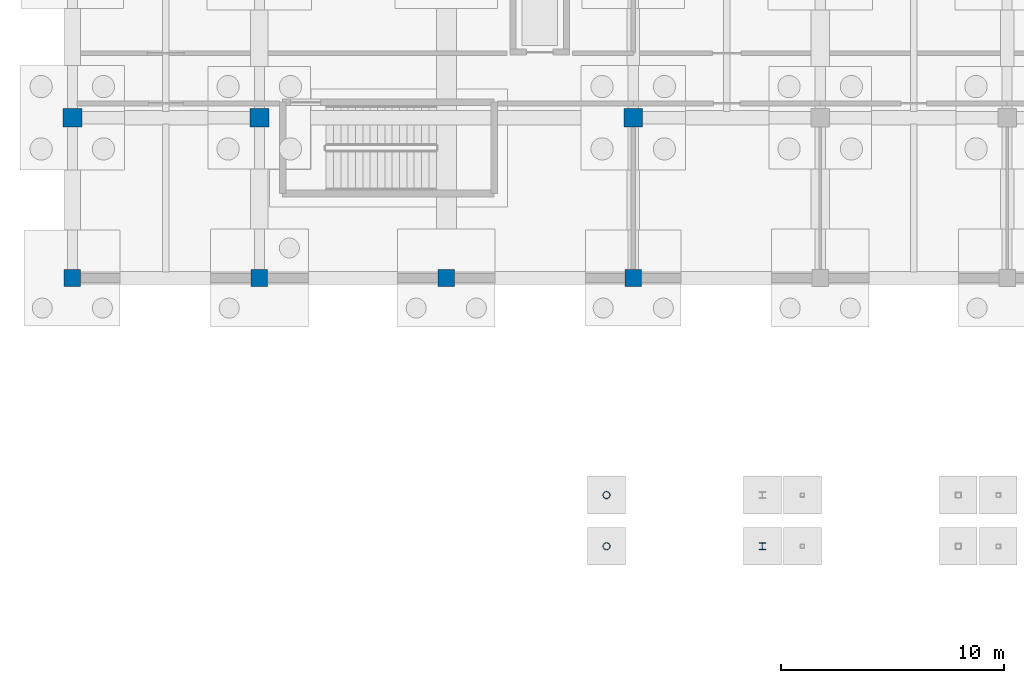
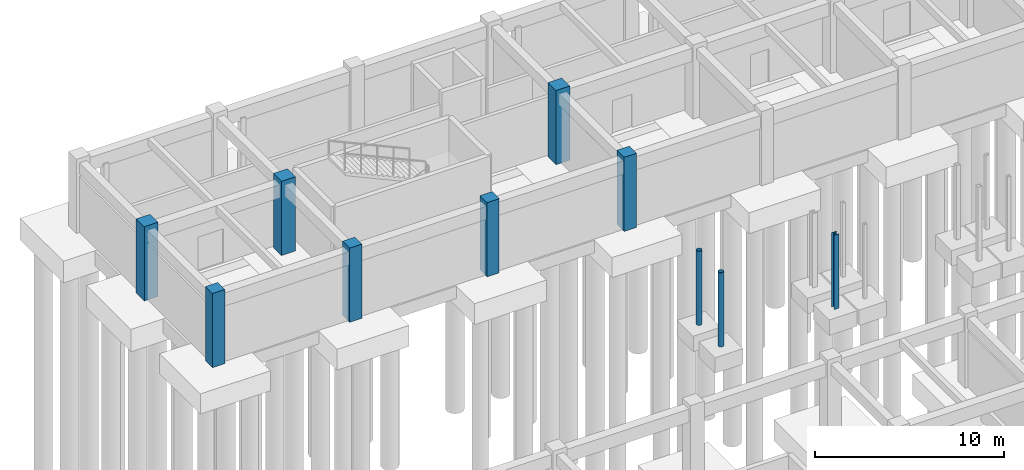
# One storey, part 30 of 80: 10 columns.
"""IFC4 building model written with IfcOpenShell, lengths in metres."""

from ifc_helpers import new_model, si_unit, direction, frame, origin, origin_2d, place, context, subcontext, project, spatial, rectangle, hollow_circle, i_section, extrude, material, material_profile, profile_set, type_object, element, save


model = new_model("IFC4")

# Units and contexts
model_context = context("Model", 3, precision=1e-05, world=origin(), true_north=direction((0.0, 1.0)))
body_context = subcontext(model_context, "Body", "Model", "MODEL_VIEW")
ifc_project = project(units=[si_unit("LENGTHUNIT", "METRE"), si_unit("AREAUNIT", "SQUARE_METRE"), si_unit("VOLUMEUNIT", "CUBIC_METRE"), si_unit("PLANEANGLEUNIT", "RADIAN"), si_unit("MASSUNIT", "GRAM", prefix="KILO")], contexts=[model_context])

# Site, building, storey
site_placement = place(None, origin())
site = spatial("IfcSite", under=ifc_project, at=site_placement, CompositionType="ELEMENT")
building_placement = place(site_placement, origin())
building = spatial("IfcBuilding", under=site, at=building_placement, Name="Malvenik Polytechnic", CompositionType="ELEMENT")
storey_placement = place(building_placement, frame((0.0, 0.0, -4.800048828125)))
storey = spatial("IfcBuildingStorey", under=building, at=storey_placement, Name="B1", CompositionType="ELEMENT", Elevation=-4.800048828125)

# Columns
ifc_material_1 = material(Name="Concrete C40/50", Category="concrete")
ifc_material_profile_1 = material_profile(ifc_material_1, rectangle(XDim=0.85009765625, YDim=0.85009765625, at=origin_2d()), Name="RC COL 850x850")
ifc_profile_set_1 = profile_set([ifc_material_profile_1], Name="Concrete C40/50")
column_type_1 = type_object("IfcColumnType", Name="STR-COL-C-01", PredefinedType="COLUMN", material=ifc_profile_set_1)
for number, where, z_axis, x_axis, name in (
    (1, (0.0, 122.39990234375, 0.0), (0.0, 0.0, 1.0), (1.0, 0.0, 0.0), "Column C-01 B1 (0.0,122.4)"),
    (2, (8.39990234375, 122.39990234375, 0.0), (0.0, 0.0, 1.0), (1.0, 0.0, 0.0), "Column C-01 B1 (8.4,122.4)"),
    (3, (25.199951171875, 122.39990234375, 0.0), (0.0, 0.0, 1.0), (1.0, 0.0, 0.0), "Column C-01 B1 (25.2,122.4)"),
):
    element("IfcColumn", number, at=place(storey_placement, frame(where, z_axis=z_axis, x_axis=x_axis)), inside=storey, type_object=column_type_1, Name=name, PredefinedType="COLUMN", context=body_context, shape_type="SweptSolid", body=[
        extrude(rectangle(XDim=0.85009765625, YDim=0.85009765625, at=origin_2d()), origin(), (0.0, 0.0, 1.0), 4.800048828125),
    ])
ifc_material_profile_2 = material_profile(ifc_material_1, rectangle(XDim=0.75, YDim=0.75, at=origin_2d()), Name="RC COL 750x750")
ifc_profile_set_2 = profile_set([ifc_material_profile_2], Name="Concrete C40/50")
column_type_2 = type_object("IfcColumnType", Name="STR-COL-C-03", PredefinedType="COLUMN", material=ifc_profile_set_2)
for number, where, z_axis, x_axis, name in (
    (4, (0.0, 115.199951171875, 0.0), (0.0, 0.0, 1.0), (1.0, 0.0, 0.0), "Column C-03 B1 (0.0,115.2)"),
    (5, (8.39990234375, 115.199951171875, 0.0), (0.0, 0.0, 1.0), (1.0, 0.0, 0.0), "Column C-03 B1 (8.4,115.2)"),
    (6, (16.800048828125, 115.199951171875, 0.0), (0.0, 0.0, 1.0), (1.0, 0.0, 0.0), "Column C-03 B1 (16.8,115.2)"),
    (7, (25.199951171875, 115.199951171875, 0.0), (0.0, 0.0, 1.0), (1.0, 0.0, 0.0), "Column C-03 B1 (25.2,115.2)"),
):
    element("IfcColumn", number, at=place(storey_placement, frame(where, z_axis=z_axis, x_axis=x_axis)), inside=storey, type_object=column_type_2, Name=name, PredefinedType="COLUMN", context=body_context, shape_type="SweptSolid", body=[
        extrude(rectangle(XDim=0.75, YDim=0.75, at=origin_2d()), origin(), (0.0, 0.0, 1.0), 4.800048828125),
    ])
ifc_material_2 = material(Name="Steel S355J2H", Category="steel")
ifc_material_profile_3 = material_profile(ifc_material_2, hollow_circle(Radius=0.161865234375, WallThickness=0.012451171875, at=origin_2d()), Name="CHS 323.9x12.5")
ifc_profile_set_3 = profile_set([ifc_material_profile_3], Name="Steel S355J2H")
column_type_3 = type_object("IfcColumnType", Name="STR-SCOL-SC-04", PredefinedType="COLUMN", material=ifc_profile_set_3)
for number, where, z_axis, x_axis, name in (
    (8, (24.0, 103.14990234375, 0.0), (0.0, 0.0, 1.0), (1.0, 0.0, 0.0), "Bridge-Ramp Support Column SC-04 B1"),
    (9, (24.0, 105.449951171875, 0.0), (0.0, 0.0, 1.0), (1.0, 0.0, 0.0), "Bridge-Ramp Support Column SC-04 B1"),
):
    element("IfcColumn", number, at=place(storey_placement, frame(where, z_axis=z_axis, x_axis=x_axis)), inside=storey, type_object=column_type_3, Name=name, PredefinedType="COLUMN", context=body_context, shape_type="SweptSolid", body=[
        extrude(hollow_circle(Radius=0.161865234375, WallThickness=0.012451171875, at=origin_2d()), origin(), (0.0, 0.0, 1.0), 4.800048828125),
    ])
ifc_material_3 = material(Name="Steel S355", Category="steel")
ifc_material_profile_4 = material_profile(ifc_material_3, i_section(OverallWidth=0.300048828125, OverallDepth=0.300048828125, WebThickness=0.010986328125, FlangeThickness=0.01904296875, FilletRadius=0.027099609375, at=origin_2d()), Name="HEB 300")
ifc_profile_set_4 = profile_set([ifc_material_profile_4], Name="Steel S355")
column_type_4 = type_object("IfcColumnType", Name="STR-SCOL-SC-05", PredefinedType="COLUMN", material=ifc_profile_set_4)
column_placement = place(storey_placement, frame((31.0, 103.14990234375, 0.0), z_axis=(0.0, 0.0, 1.0), x_axis=(1.0, 0.0, 0.0)))
element("IfcColumn", 10, at=column_placement, inside=storey, type_object=column_type_4, Name="Bridge-Ramp Support Column SC-05 B1", PredefinedType="COLUMN", context=body_context, shape_type="SweptSolid", body=[
    extrude(i_section(OverallWidth=0.300048828125, OverallDepth=0.300048828125, WebThickness=0.010986328125, FlangeThickness=0.01904296875, FilletRadius=0.027099609375, at=origin_2d()), origin(), (0.0, 0.0, 1.0), 4.800048828125),
])

save(model, "model.ifc")
